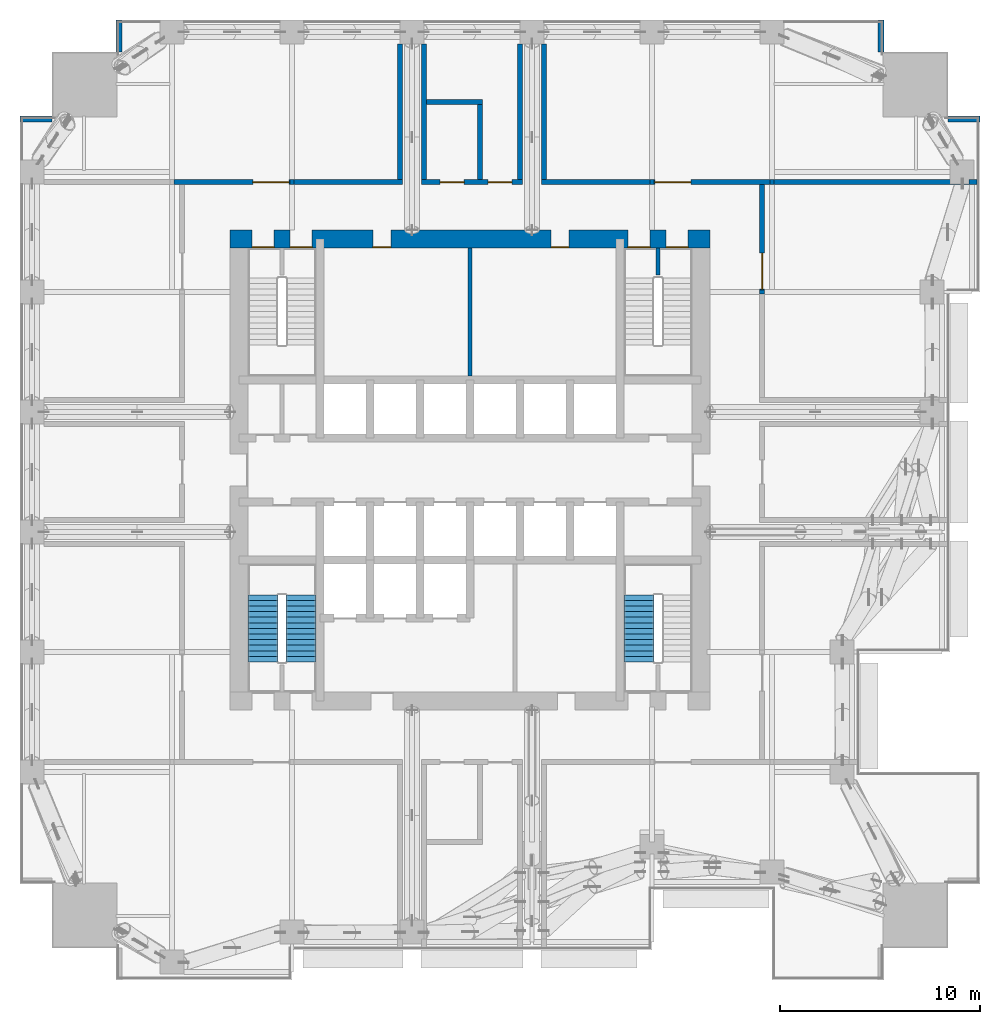
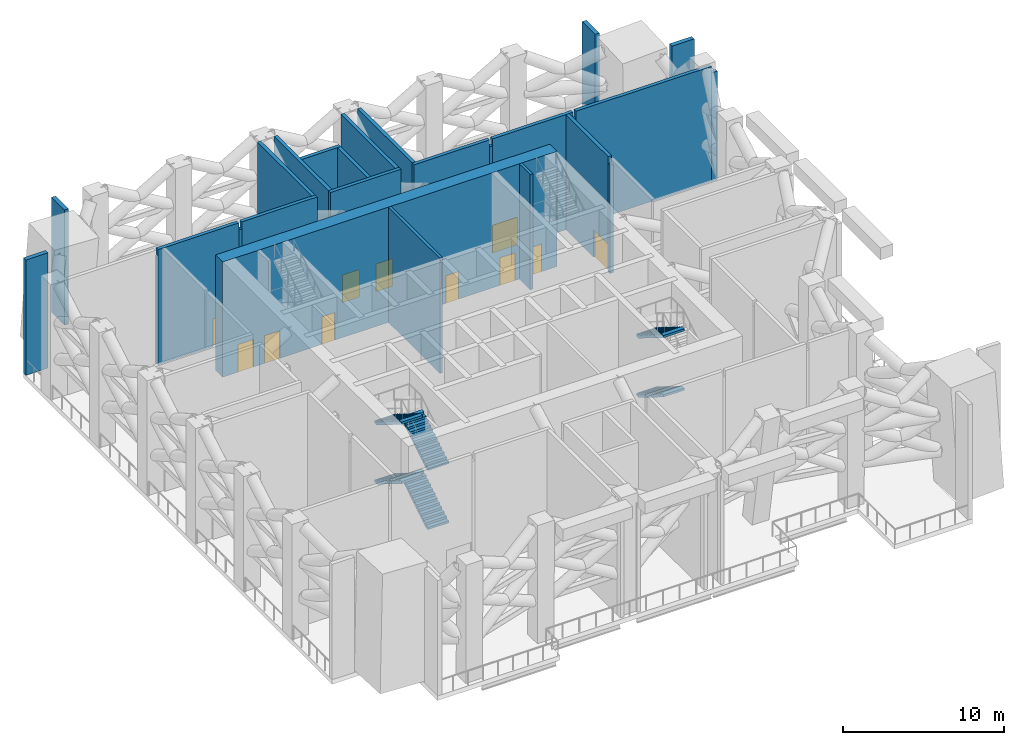
# One storey, part 9 of 18: 25 walls, 11 doors, 6 stair flights, 11 openings, 2 elements without a shape of their own.
"""IFC4 building model written with IfcOpenShell, lengths in metres."""

import ifcopenshell
import ifcopenshell.guid

model = None  # the IFC model being written
_history = None  # IfcOwnerHistory: only IFC2X3 demands one
_inside = {}  # id of a spatial element -> (the spatial element, [elements in it])
_under = {}  # id of a project, library or spatial element -> (it, [spatial elements below it])
_declared = {}  # id of a project -> (the project, [libraries it declares])
_typed = {}  # id of a type object -> (the type object, [elements of that type])
_made_of = {}  # id of a material, layer set ... -> (it, [elements and type objects made of it])


def new_model(schema):
    """Start an empty IFC model of exactly this schema.

    Asked for "IFC4X3", IfcOpenShell would pick the latest addendum, in which some entities
    have other attributes; the version numbers below select the first issue.
    IFC2X3 requires an IfcOwnerHistory on every rooted entity: one is made here for all.
    """
    global model, _history
    if schema == "IFC4X3":
        model = ifcopenshell.file(schema_version=(4, 3, 0, 0))
    else:
        model = ifcopenshell.file(schema=schema)
    _inside.clear()
    _under.clear()
    _declared.clear()
    _typed.clear()
    _made_of.clear()
    _history = None
    if model.schema == "IFC2X3":
        org = make("IfcOrganization", Name="unknown")
        user = make(
            "IfcPersonAndOrganization",
            ThePerson=make("IfcPerson", FamilyName="unknown"),
            TheOrganization=org,
        )
        app = make(
            "IfcApplication",
            ApplicationDeveloper=org,
            Version="unknown",
            ApplicationFullName="unknown",
            ApplicationIdentifier="unknown",
        )
        _history = make(
            "IfcOwnerHistory",
            OwningUser=user,
            OwningApplication=app,
            ChangeAction="ADDED",
            CreationDate=0,
        )
    return model


def make(cls, **values):
    """One entity of the class cls with the attributes given. An attribute that is None is left unset."""
    return model.create_entity(
        cls, **{name: value for name, value in values.items() if value is not None}
    )


def rooted(cls, **values):
    """An entity with a GlobalId (a new one), such as an element, a storey or a relation."""
    return make(cls, GlobalId=ifcopenshell.guid.new(), OwnerHistory=_history, **values)


def si_unit(unit_type, name, prefix=None):
    """IfcSIUnit, for example si_unit("LENGTHUNIT", "METRE", prefix="MILLI")."""
    return make("IfcSIUnit", UnitType=unit_type, Prefix=prefix, Name=name)


def assignment(units):
    """IfcUnitAssignment: the units of a project."""
    return None if units is None else make("IfcUnitAssignment", Units=units)


def point(xyz):
    """IfcCartesianPoint."""
    return None if xyz is None else make("IfcCartesianPoint", Coordinates=xyz)


def direction(xyz):
    """IfcDirection."""
    return None if xyz is None else make("IfcDirection", DirectionRatios=xyz)


def frame(location, z_axis=None, x_axis=None):
    """IfcAxis2Placement3D, a coordinate frame: its origin and axes. An axis left out is left unset."""
    return make(
        "IfcAxis2Placement3D",
        Location=point(location),
        Axis=direction(z_axis),
        RefDirection=direction(x_axis),
    )


def frame_2d(location, x_axis=None):
    """IfcAxis2Placement2D, a coordinate frame in the plane: its origin and x axis."""
    return make(
        "IfcAxis2Placement2D", Location=point(location), RefDirection=direction(x_axis)
    )


def origin():
    """The frame at (0, 0, 0) with its axes left unset."""
    return frame((0.0, 0.0, 0.0))


def place(relative_to, where):
    """IfcLocalPlacement: puts the frame where relative to a parent placement (None: the world)."""
    return make(
        "IfcLocalPlacement", PlacementRelTo=relative_to, RelativePlacement=where
    )


def context(
    kind, dimensions, precision=None, world=None, true_north=None, identifier=None
):
    """IfcGeometricRepresentationContext, for example the 3D "Model" context."""
    return make(
        "IfcGeometricRepresentationContext",
        ContextIdentifier=identifier,
        ContextType=kind,
        CoordinateSpaceDimension=dimensions,
        Precision=precision,
        WorldCoordinateSystem=world,
        TrueNorth=true_north,
    )


def subcontext(parent, identifier, kind, view, scale=None):
    """IfcGeometricRepresentationSubContext, for example "Body" below "Model"."""
    return make(
        "IfcGeometricRepresentationSubContext",
        ContextIdentifier=identifier,
        ContextType=kind,
        ParentContext=parent,
        TargetScale=scale,
        TargetView=view,
    )


def project(units=None, contexts=None):
    """IfcProject with its units and contexts."""
    return rooted(
        "IfcProject",
        Name="project",
        RepresentationContexts=contexts,
        UnitsInContext=assignment(units),
    )


def spatial(cls, under=None, at=None, **own):
    """A site, building, storey or space (cls), placed at a placement, below another one or the project."""
    s = rooted(cls, ObjectPlacement=at, **own)
    if under is not None:
        _under.setdefault(under.id(), (under, []))[1].append(s)
    return s


def polyline(points):
    """IfcPolyline through the points."""
    return make("IfcPolyline", Points=[point(p) for p in points])


def profile(cls, at=None, kind="AREA", **sizes):
    """A parametric profile (cls). Its sizes go by their IFC names, for example OverallWidth=200.0."""
    return make(cls, ProfileType=kind, Position=at, **sizes)


def rectangle(**sizes):
    """IfcRectangleProfileDef."""
    return profile("IfcRectangleProfileDef", **sizes)


def outline(outer, holes=None, kind="AREA"):
    """IfcArbitraryClosedProfileDef: a profile drawn as a closed curve; with holes, ...WithVoids."""
    if holes is None:
        return make("IfcArbitraryClosedProfileDef", ProfileType=kind, OuterCurve=outer)
    return make(
        "IfcArbitraryProfileDefWithVoids",
        ProfileType=kind,
        OuterCurve=outer,
        InnerCurves=holes,
    )


def extrude(swept, where, along, depth):
    """IfcExtrudedAreaSolid: the profile swept, set in the frame where, extruded along a direction by depth."""
    return make(
        "IfcExtrudedAreaSolid",
        SweptArea=swept,
        Position=where,
        ExtrudedDirection=direction(along),
        Depth=depth,
    )


def shape(context_of_items, identifier, shape_type, items):
    """IfcShapeRepresentation: the items that make up one representation, for example the "Body"."""
    return make(
        "IfcShapeRepresentation",
        ContextOfItems=context_of_items,
        RepresentationIdentifier=identifier,
        RepresentationType=shape_type,
        Items=items,
    )


def material(Name=None, Category=None):
    """IfcMaterial."""
    return make("IfcMaterial", Name=Name, Category=Category)


def layer(
    of_material, thickness, ventilated=None, Name=None, Category=None, Priority=None
):
    """IfcMaterialLayer: one layer of a wall or slab, of a material (None: an air gap)."""
    return make(
        "IfcMaterialLayer",
        Material=of_material,
        LayerThickness=thickness,
        IsVentilated=ventilated,
        Name=Name,
        Category=Category,
        Priority=Priority,
    )


def layer_set(layers, Name=None):
    """IfcMaterialLayerSet."""
    return make("IfcMaterialLayerSet", MaterialLayers=layers, LayerSetName=Name)


def made_of(thing, what):
    """Note that an element or type object is made of a material, layer set ...; save() writes the relation."""
    if what is not None:
        _made_of.setdefault(what.id(), (what, []))[1].append(thing)
    return thing


def type_object(cls, material=None, **own):
    """A type object (cls), such as IfcWallType, which elements share."""
    return made_of(rooted(cls, **own), material)


def element(
    cls,
    number,
    at=None,
    inside=None,
    cuts=None,
    type_object=None,
    material=None,
    context=None,
    identifier="Body",
    shape_type=None,
    held_by="IfcProductDefinitionShape",
    body=None,
    shapes=None,
    **own,
):
    """One element of the class cls, such as IfcWall. Its Tag is "e" and its number.

    at: its placement. inside: the storey or other place that contains it. cuts: it is an
    opening in that element (IfcRelVoidsElement). A single representation is given by context,
    identifier, shape_type and body (its items); several are given by shapes. held_by: the class
    of the entity that holds the representations. save() writes the other relations.
    """
    e = rooted(cls, Tag="e%d" % number, ObjectPlacement=at, **own)
    if body is not None:
        shapes = [shape(context, identifier, shape_type, body)]
    if shapes is not None:
        e.Representation = make(held_by, Representations=shapes)
    if inside is not None:
        _inside.setdefault(inside.id(), (inside, []))[1].append(e)
    if cuts is not None:
        rooted(
            "IfcRelVoidsElement", RelatingBuildingElement=cuts, RelatedOpeningElement=e
        )
    if type_object is not None:
        _typed.setdefault(type_object.id(), (type_object, []))[1].append(e)
    return made_of(e, material)


def fill(opening, filler):
    """IfcRelFillsElement: the door or window that sits in an opening."""
    return rooted(
        "IfcRelFillsElement",
        RelatingOpeningElement=opening,
        RelatedBuildingElement=filler,
    )


def aggregate(whole, parts):
    """IfcRelAggregates: a whole, such as a stair, and the parts it consists of."""
    return rooted("IfcRelAggregates", RelatingObject=whole, RelatedObjects=parts)


def save(model, path):
    """Write the relations noted so far, then the file.

    IfcRelAggregates (storeys below a building ...), IfcRelContainedInSpatialStructure (elements
    in a storey), IfcRelDefinesByType, IfcRelAssociatesMaterial and IfcRelDeclares: one each for
    every whole, place, type object, material and project.
    """
    for whole, parts in _under.values():
        aggregate(whole, parts)
    for where, things in _inside.values():
        rooted(
            "IfcRelContainedInSpatialStructure",
            RelatedElements=things,
            RelatingStructure=where,
        )
    for kind, things in _typed.values():
        rooted("IfcRelDefinesByType", RelatedObjects=things, RelatingType=kind)
    for what, things in _made_of.values():
        rooted("IfcRelAssociatesMaterial", RelatedObjects=things, RelatingMaterial=what)
    for by, libraries in _declared.values():
        rooted("IfcRelDeclares", RelatingContext=by, RelatedDefinitions=libraries)
    model.write(path)


model = new_model("IFC4")

# Units and contexts
model_context = context("Model", 3, precision=1e-05, world=origin(), true_north=direction((0.0, 1.0)))
body_context = subcontext(model_context, "Body", "Model", "MODEL_VIEW")
ifc_project = project(units=[si_unit("LENGTHUNIT", "METRE"), si_unit("AREAUNIT", "SQUARE_METRE"), si_unit("VOLUMEUNIT", "CUBIC_METRE"), si_unit("PLANEANGLEUNIT", "RADIAN"), si_unit("MASSUNIT", "GRAM", prefix="KILO")], contexts=[model_context])

# Site, building, storey
site_placement = place(None, origin())
site = spatial("IfcSite", under=ifc_project, at=site_placement, CompositionType="ELEMENT")
building_placement = place(site_placement, origin())
building = spatial("IfcBuilding", under=site, at=building_placement, Name="Amberfall Residences", CompositionType="ELEMENT")
storey_placement = place(building_placement, frame((0.0, 0.0, 69.699951171875)))
storey = spatial("IfcBuildingStorey", under=building, at=storey_placement, Name="L19", CompositionType="ELEMENT", Elevation=69.699951171875)

# Wall, opening, door
ifc_material_1 = material(Name="Reinforced concrete C40", Category="concrete")
ifc_layer_1 = layer(ifc_material_1, 0.25)
ifc_layer_set_1 = layer_set([ifc_layer_1], Name="Compartment wall 250")
wall_type_1 = type_object("IfcWallType", Name="Compartment wall 250", PredefinedType="SOLIDWALL", material=ifc_layer_set_1)
wall_1_placement = place(storey_placement, frame((59.705322265625, 59.89990234375, 0.0), z_axis=(0.0, 0.0, 1.0), x_axis=(1.0, 0.0, 0.0)))
wall_1 = element("IfcWall", 1, at=wall_1_placement, inside=storey, type_object=wall_type_1, Name="Compartment wall 250 L19 028", PredefinedType="SOLIDWALL", context=body_context, shape_type="SweptSolid", body=[
    extrude(rectangle(XDim=5.7900390625, YDim=0.25, at=frame_2d((2.89501953125, 0.0))), origin(), (0.0, 0.0, 1.0), 8.75),
])
opening_1_placement = place(wall_1_placement, frame((3.944580078125, 0.0, 0.0)))
opening_1 = element("IfcOpeningElement", 2, at=opening_1_placement, cuts=wall_1, Name="Opening D13", PredefinedType="OPENING", context=body_context, shape_type="SweptSolid", body=[
    extrude(rectangle(XDim=1.800048828125, YDim=2.10009765625, at=frame_2d((0.89990234375, 1.050048828125))), frame((0.0, 0.135009765625, 0.0), z_axis=(0.0, -1.0, 0.0), x_axis=(1.0, 0.0, 0.0)), (0.0, 0.0, 1.0), 0.27001953125),
])
ifc_material_2 = material(Name="Steel fire door leaf", Category="steel")
door_type_1 = type_object("IfcDoorType", Name="Double fire door 1800x2100 FD60", OperationType="DOUBLE_DOOR_SINGLE_SWING", PredefinedType="DOOR", material=ifc_material_2)
door_1_placement = place(opening_1_placement, origin())
door_1 = element("IfcDoor", 3, at=door_1_placement, inside=storey, type_object=door_type_1, Name="Door Refuge area 4", OperationType="DOUBLE_DOOR_SINGLE_SWING", OverallHeight=2.10009765625, OverallWidth=1.800048828125, PredefinedType="DOOR", context=body_context, shape_type="SweptSolid", body=[
    extrude(rectangle(XDim=1.800048828125, YDim=2.10009765625, at=frame_2d((0.89990234375, 1.050048828125))), frame((0.0, 0.02490234375, 0.0), z_axis=(0.0, -1.0, 0.0), x_axis=(1.0, 0.0, 0.0)), (0.0, 0.0, 1.0), 0.050048828125),
])
fill(opening_1, door_1)

# Walls
wall_2_placement = place(storey_placement, frame((65.495361328125, 59.89990234375, 0.0), z_axis=(0.0, 0.0, 1.0), x_axis=(1.0, 0.0, 0.0)))
element("IfcWall", 4, at=wall_2_placement, inside=storey, type_object=wall_type_1, Name="Compartment wall 250 L19 029", PredefinedType="SOLIDWALL", context=body_context, shape_type="SweptSolid", body=[
    extrude(rectangle(XDim=0.209228515625, YDim=0.25, at=frame_2d((0.1044921875, 0.0))), origin(), (0.0, 0.0, 1.0), 8.217041015625),
])
wall_3_placement = place(storey_placement, frame((65.70458984375, 59.89990234375, 0.0), z_axis=(0.0, 0.0, 1.0), x_axis=(1.0, 0.0, 0.0)))
element("IfcWall", 5, at=wall_3_placement, inside=storey, type_object=wall_type_1, Name="Compartment wall 250 L19 030", PredefinedType="SOLIDWALL", context=body_context, shape_type="SweptSolid", body=[
    extrude(rectangle(XDim=5.42041015625, YDim=0.25, at=frame_2d((2.710205078125, 0.0))), origin(), (0.0, 0.0, 1.0), 8.75),
])

# Wall, openings, doors
wall_4_placement = place(storey_placement, frame((72.074951171875, 59.89990234375, 0.0), z_axis=(0.0, 0.0, 1.0), x_axis=(1.0, 0.0, 0.0)))
wall_4 = element("IfcWall", 6, at=wall_4_placement, inside=storey, type_object=wall_type_1, Name="Compartment wall 250 L19 031", PredefinedType="SOLIDWALL", context=body_context, shape_type="SweptSolid", body=[
    extrude(rectangle(XDim=5.050048828125, YDim=0.25, at=frame_2d((2.52490234375, 0.0))), origin(), (0.0, 0.0, 1.0), 8.75),
])
opening_2_placement = place(wall_4_placement, frame((0.925048828125, 0.0, 0.0)))
opening_2 = element("IfcOpeningElement", 7, at=opening_2_placement, cuts=wall_4, Name="Opening D7", PredefinedType="OPENING", context=body_context, shape_type="SweptSolid", body=[
    extrude(rectangle(XDim=1.199951171875, YDim=2.10009765625, at=frame_2d((0.60009765625, 1.050048828125))), frame((0.0, 0.135009765625, 0.0), z_axis=(0.0, -1.0, 0.0), x_axis=(1.0, 0.0, 0.0)), (0.0, 0.0, 1.0), 0.27001953125),
])
opening_3_placement = place(wall_4_placement, frame((3.324951171875, 0.0, 0.0)))
opening_3 = element("IfcOpeningElement", 8, at=opening_3_placement, cuts=wall_4, Name="Opening D6", PredefinedType="OPENING", context=body_context, shape_type="SweptSolid", body=[
    extrude(rectangle(XDim=1.199951171875, YDim=2.10009765625, at=frame_2d((0.60009765625, 1.050048828125))), frame((0.0, 0.135009765625, 0.0), z_axis=(0.0, -1.0, 0.0), x_axis=(1.0, 0.0, 0.0)), (0.0, 0.0, 1.0), 0.27001953125),
])
door_type_2 = type_object("IfcDoorType", Name="Exit door 1200x2100", OperationType="SINGLE_SWING_LEFT", PredefinedType="DOOR", material=ifc_material_2)
door_2_placement = place(opening_3_placement, origin())
door_2 = element("IfcDoor", 9, at=door_2_placement, inside=storey, type_object=door_type_2, Name="Door Refuge area 5", OperationType="SINGLE_SWING_LEFT", OverallHeight=2.10009765625, OverallWidth=1.199951171875, PredefinedType="DOOR", context=body_context, shape_type="SweptSolid", body=[
    extrude(rectangle(XDim=1.199951171875, YDim=2.10009765625, at=frame_2d((0.60009765625, 1.050048828125))), frame((0.0, 0.02490234375, 0.0), z_axis=(0.0, -1.0, 0.0), x_axis=(1.0, 0.0, 0.0)), (0.0, 0.0, 1.0), 0.050048828125),
])
fill(opening_3, door_2)
door_type_3 = type_object("IfcDoorType", Name="Plant room door 1200x2100", OperationType="SINGLE_SWING_LEFT", PredefinedType="DOOR", material=ifc_material_2)
door_3_placement = place(opening_2_placement, origin())
door_3 = element("IfcDoor", 10, at=door_3_placement, inside=storey, type_object=door_type_3, Name="Door Fire pump room N", OperationType="SINGLE_SWING_LEFT", OverallHeight=2.10009765625, OverallWidth=1.199951171875, PredefinedType="DOOR", context=body_context, shape_type="SweptSolid", body=[
    extrude(rectangle(XDim=1.199951171875, YDim=2.10009765625, at=frame_2d((0.60009765625, 1.050048828125))), frame((0.0, 0.02490234375, 0.0), z_axis=(0.0, -1.0, 0.0), x_axis=(1.0, 0.0, 0.0)), (0.0, 0.0, 1.0), 0.050048828125),
])
fill(opening_2, door_3)

# Walls
wall_5_placement = place(storey_placement, frame((78.074951171875, 59.89990234375, 0.0), z_axis=(0.0, 0.0, 1.0), x_axis=(1.0, 0.0, 0.0)))
element("IfcWall", 11, at=wall_5_placement, inside=storey, type_object=wall_type_1, Name="Compartment wall 250 L19 032", PredefinedType="SOLIDWALL", context=body_context, shape_type="SweptSolid", body=[
    extrude(rectangle(XDim=5.42041015625, YDim=0.25, at=frame_2d((2.710205078125, 0.0))), origin(), (0.0, 0.0, 1.0), 8.75),
])
wall_6_placement = place(storey_placement, frame((83.495361328125, 59.89990234375, 0.0), z_axis=(0.0, 0.0, 1.0), x_axis=(1.0, 0.0, 0.0)))
element("IfcWall", 12, at=wall_6_placement, inside=storey, type_object=wall_type_1, Name="Compartment wall 250 L19 033", PredefinedType="SOLIDWALL", context=body_context, shape_type="SweptSolid", body=[
    extrude(rectangle(XDim=0.209228515625, YDim=0.25, at=frame_2d((0.1044921875, 0.0))), origin(), (0.0, 0.0, 1.0), 8.217041015625),
])

# Wall, opening, door
wall_7_placement = place(storey_placement, frame((83.70458984375, 59.89990234375, 0.0), z_axis=(0.0, 0.0, 1.0), x_axis=(1.0, 0.0, 0.0)))
wall_7 = element("IfcWall", 13, at=wall_7_placement, inside=storey, type_object=wall_type_1, Name="Compartment wall 250 L19 034", PredefinedType="SOLIDWALL", context=body_context, shape_type="SweptSolid", body=[
    extrude(rectangle(XDim=5.7900390625, YDim=0.25, at=frame_2d((2.89501953125, 0.0))), origin(), (0.0, 0.0, 1.0), 8.75),
])
opening_4_placement = place(wall_7_placement, frame((0.04541015625, 0.0, 0.0)))
opening_4 = element("IfcOpeningElement", 14, at=opening_4_placement, cuts=wall_7, Name="Opening D13", PredefinedType="OPENING", context=body_context, shape_type="SweptSolid", body=[
    extrude(rectangle(XDim=1.800048828125, YDim=2.10009765625, at=frame_2d((0.89990234375, 1.050048828125))), frame((0.0, 0.135009765625, 0.0), z_axis=(0.0, -1.0, 0.0), x_axis=(1.0, 0.0, 0.0)), (0.0, 0.0, 1.0), 0.27001953125),
])
door_4_placement = place(opening_4_placement, origin())
door_4 = element("IfcDoor", 15, at=door_4_placement, inside=storey, type_object=door_type_1, Name="Door Refuge area 6", OperationType="DOUBLE_DOOR_SINGLE_SWING", OverallHeight=2.10009765625, OverallWidth=1.800048828125, PredefinedType="DOOR", context=body_context, shape_type="SweptSolid", body=[
    extrude(rectangle(XDim=1.800048828125, YDim=2.10009765625, at=frame_2d((0.89990234375, 1.050048828125))), frame((0.0, 0.02490234375, 0.0), z_axis=(0.0, -1.0, 0.0), x_axis=(1.0, 0.0, 0.0)), (0.0, 0.0, 1.0), 0.050048828125),
])
fill(opening_4, door_4)

# Walls
wall_8_placement = place(storey_placement, frame((89.49462890625, 59.89990234375, 0.0), z_axis=(0.0, 0.0, 1.0), x_axis=(1.0, 0.0, 0.0)))
element("IfcWall", 16, at=wall_8_placement, inside=storey, type_object=wall_type_1, Name="Compartment wall 250 L19 035", PredefinedType="SOLIDWALL", context=body_context, shape_type="SweptSolid", body=[
    extrude(rectangle(XDim=0.210693359375, YDim=0.25, at=frame_2d((0.10546875, 0.0))), origin(), (0.0, 0.0, 1.0), 8.2099609375),
])
wall_9_placement = place(storey_placement, frame((89.705322265625, 59.89990234375, 0.0), z_axis=(0.0, 0.0, 1.0), x_axis=(1.0, 0.0, 0.0)))
element("IfcWall", 17, at=wall_9_placement, inside=storey, type_object=wall_type_1, Name="Compartment wall 250 L19 036", PredefinedType="SOLIDWALL", context=body_context, shape_type="SweptSolid", body=[
    extrude(rectangle(XDim=9.74462890625, YDim=0.25, at=frame_2d((4.872314453125, 0.0))), origin(), (0.0, 0.0, 1.0), 8.75),
])
wall_10_placement = place(storey_placement, frame((99.449951171875, 59.89990234375, 0.0), z_axis=(0.0, 0.0, 1.0), x_axis=(1.0, 0.0, 0.0)))
element("IfcWall", 18, at=wall_10_placement, inside=storey, type_object=wall_type_1, Name="Compartment wall 250 L19 037", PredefinedType="SOLIDWALL", context=body_context, shape_type="SweptSolid", body=[
    extrude(rectangle(XDim=0.400146484375, YDim=0.25, at=frame_2d((0.2001953125, 0.0))), origin(), (0.0, 0.0, 1.0), 8.25),
])
wall_11_placement = place(storey_placement, frame((72.324951171875, 63.89990234375, 0.0), z_axis=(0.0, 0.0, 1.0), x_axis=(1.0, 0.0, 0.0)))
element("IfcWall", 19, at=wall_11_placement, inside=storey, type_object=wall_type_1, Name="Compartment wall 250 L19 038", PredefinedType="SOLIDWALL", context=body_context, shape_type="SweptSolid", body=[
    extrude(rectangle(XDim=2.800048828125, YDim=0.25, at=frame_2d((1.39990234375, 0.0))), origin(), (0.0, 0.0, 1.0), 8.75),
])
for number, where, z_axis, x_axis, name in (
    (20, (71.0, 60.02490234375, 0.0), (0.0, 0.0, 1.0), (0.0, 1.0, 0.0), "Compartment wall 250 L19 048"),
    (21, (72.199951171875, 60.02490234375, 0.0), (0.0, 0.0, 1.0), (0.0, 1.0, 0.0), "Compartment wall 250 L19 051"),
):
    element("IfcWall", number, at=place(storey_placement, frame(where, z_axis=z_axis, x_axis=x_axis)), inside=storey, type_object=wall_type_1, Name=name, PredefinedType="SOLIDWALL", context=body_context, shape_type="SweptSolid", body=[
        extrude(rectangle(XDim=6.775146484375, YDim=0.25, at=frame_2d((3.3876953125, 0.0))), origin(), (0.0, 0.0, 1.0), 8.75),
    ])
wall_12_placement = place(storey_placement, frame((75.0, 60.02490234375, 0.0), z_axis=(0.0, 0.0, 1.0), x_axis=(0.0, 1.0, 0.0)))
element("IfcWall", 22, at=wall_12_placement, inside=storey, type_object=wall_type_1, Name="Compartment wall 250 L19 053", PredefinedType="SOLIDWALL", context=body_context, shape_type="SweptSolid", body=[
    extrude(rectangle(XDim=3.75, YDim=0.25, at=frame_2d((1.875, 0.0))), origin(), (0.0, 0.0, 1.0), 8.75),
])
for number, where, z_axis, x_axis, name in (
    (23, (77.0, 60.02490234375, 0.0), (0.0, 0.0, 1.0), (0.0, 1.0, 0.0), "Compartment wall 250 L19 056"),
    (24, (78.199951171875, 60.02490234375, 0.0), (0.0, 0.0, 1.0), (0.0, 1.0, 0.0), "Compartment wall 250 L19 059"),
):
    element("IfcWall", number, at=place(storey_placement, frame(where, z_axis=z_axis, x_axis=x_axis)), inside=storey, type_object=wall_type_1, Name=name, PredefinedType="SOLIDWALL", context=body_context, shape_type="SweptSolid", body=[
        extrude(rectangle(XDim=6.775146484375, YDim=0.25, at=frame_2d((3.3876953125, 0.0))), origin(), (0.0, 0.0, 1.0), 8.75),
    ])
wall_13_placement = place(storey_placement, frame((89.10009765625, 54.29541015625, 0.0), z_axis=(0.0, 0.0, 1.0), x_axis=(0.0, 1.0, 0.0)))
element("IfcWall", 25, at=wall_13_placement, inside=storey, type_object=wall_type_1, Name="Compartment wall 250 L19 065", PredefinedType="SOLIDWALL", context=body_context, shape_type="SweptSolid", body=[
    extrude(rectangle(XDim=0.209228515625, YDim=0.25, at=frame_2d((0.1044921875, 0.0))), origin(), (0.0, 0.0, 1.0), 8.217041015625),
])

# Wall, opening, door
wall_14_placement = place(storey_placement, frame((89.10009765625, 54.504638671875, 0.0), z_axis=(0.0, 0.0, 1.0), x_axis=(0.0, 1.0, 0.0)))
wall_14 = element("IfcWall", 26, at=wall_14_placement, inside=storey, type_object=wall_type_1, Name="Compartment wall 250 L19 066", PredefinedType="SOLIDWALL", context=body_context, shape_type="SweptSolid", body=[
    extrude(rectangle(XDim=5.270263671875, YDim=0.25, at=frame_2d((2.63525390625, 0.0))), origin(), (0.0, 0.0, 1.0), 8.75),
])
opening_5_placement = place(wall_14_placement, frame((0.04541015625, 0.0, 0.0)))
opening_5 = element("IfcOpeningElement", 27, at=opening_5_placement, cuts=wall_14, Name="Opening D13", PredefinedType="OPENING", context=body_context, shape_type="SweptSolid", body=[
    extrude(rectangle(XDim=1.800048828125, YDim=2.10009765625, at=frame_2d((0.89990234375, 1.050048828125))), frame((0.0, 0.135009765625, 0.0), z_axis=(0.0, -1.0, 0.0), x_axis=(1.0, 0.0, 0.0)), (0.0, 0.0, 1.0), 0.27001953125),
])
door_5_placement = place(opening_5_placement, origin())
door_5 = element("IfcDoor", 28, at=door_5_placement, inside=storey, type_object=door_type_1, Name="Door Refuge area 12", OperationType="DOUBLE_DOOR_SINGLE_SWING", OverallHeight=2.10009765625, OverallWidth=1.800048828125, PredefinedType="DOOR", context=body_context, shape_type="SweptSolid", body=[
    extrude(rectangle(XDim=1.800048828125, YDim=2.10009765625, at=frame_2d((0.89990234375, 1.050048828125))), frame((0.0, 0.02490234375, 0.0), z_axis=(0.0, -1.0, 0.0), x_axis=(1.0, 0.0, 0.0)), (0.0, 0.0, 1.0), 0.050048828125),
])
fill(opening_5, door_5)

# Wall, openings, doors
ifc_material_3 = material(Name="Concrete C80", Category="concrete")
ifc_layer_2 = layer(ifc_material_3, 0.89990234375)
ifc_layer_set_2 = layer_set([ifc_layer_2], Name="Core wall 900 C80")
wall_type_2 = type_object("IfcWallType", Name="Core wall 900 C80", PredefinedType="SHEAR", material=ifc_layer_set_2)
wall_15_placement = place(storey_placement, frame((62.5, 57.050048828125, 0.0), z_axis=(0.0, 0.0, 1.0), x_axis=(1.0, 0.0, 0.0)))
wall_15 = element("IfcWall", 29, at=wall_15_placement, inside=storey, type_object=wall_type_2, Name="Core wall RW1 L19 ON", PredefinedType="SHEAR", context=body_context, shape_type="SweptSolid", body=[
    extrude(rectangle(XDim=24.0, YDim=0.89990234375, at=frame_2d((12.0, 0.0))), origin(), (0.0, 0.0, 1.0), 8.75),
])
opening_6_placement = place(wall_15_placement, frame((19.89990234375, 0.0, 0.0)))
opening_6 = element("IfcOpeningElement", 30, at=opening_6_placement, cuts=wall_15, Name="Opening SD1", PredefinedType="OPENING", context=body_context, shape_type="SweptSolid", body=[
    extrude(rectangle(XDim=1.10009765625, YDim=2.10009765625, at=frame_2d((0.550048828125, 1.050048828125))), frame((0.0, 0.4599609375, 0.0), z_axis=(0.0, -1.0, 0.0), x_axis=(1.0, 0.0, 0.0)), (0.0, 0.0, 1.0), 0.919921875),
])
opening_7_placement = place(wall_15_placement, frame((21.800048828125, 0.0, 0.0)))
opening_7 = element("IfcOpeningElement", 31, at=opening_7_placement, cuts=wall_15, Name="Opening SD1", PredefinedType="OPENING", context=body_context, shape_type="SweptSolid", body=[
    extrude(rectangle(XDim=1.10009765625, YDim=2.10009765625, at=frame_2d((0.550048828125, 1.050048828125))), frame((0.0, 0.4599609375, 0.0), z_axis=(0.0, -1.0, 0.0), x_axis=(1.0, 0.0, 0.0)), (0.0, 0.0, 1.0), 0.919921875),
])
opening_8_placement = place(wall_15_placement, frame((1.10009765625, 0.0, 0.0)))
opening_8 = element("IfcOpeningElement", 32, at=opening_8_placement, cuts=wall_15, Name="Opening SD1", PredefinedType="OPENING", context=body_context, shape_type="SweptSolid", body=[
    extrude(rectangle(XDim=1.10009765625, YDim=2.10009765625, at=frame_2d((0.550048828125, 1.050048828125))), frame((0.0, 0.4599609375, 0.0), z_axis=(0.0, -1.0, 0.0), x_axis=(1.0, 0.0, 0.0)), (0.0, 0.0, 1.0), 0.919921875),
])
opening_9_placement = place(wall_15_placement, frame((3.0, 0.0, 0.0)))
opening_9 = element("IfcOpeningElement", 33, at=opening_9_placement, cuts=wall_15, Name="Opening SD1", PredefinedType="OPENING", context=body_context, shape_type="SweptSolid", body=[
    extrude(rectangle(XDim=1.10009765625, YDim=2.10009765625, at=frame_2d((0.550048828125, 1.050048828125))), frame((0.0, 0.4599609375, 0.0), z_axis=(0.0, -1.0, 0.0), x_axis=(1.0, 0.0, 0.0)), (0.0, 0.0, 1.0), 0.919921875),
])
opening_10_placement = place(wall_15_placement, frame((7.14990234375, 0.0, 0.0)))
opening_10 = element("IfcOpeningElement", 34, at=opening_10_placement, cuts=wall_15, Name="Opening RD1", PredefinedType="OPENING", context=body_context, shape_type="SweptSolid", body=[
    extrude(rectangle(XDim=0.89990234375, YDim=2.10009765625, at=frame_2d((0.449951171875, 1.050048828125))), frame((0.0, 0.4599609375, 0.0), z_axis=(0.0, -1.0, 0.0), x_axis=(1.0, 0.0, 0.0)), (0.0, 0.0, 1.0), 0.919921875),
])
opening_11_placement = place(wall_15_placement, frame((16.050048828125, 0.0, 0.0)))
opening_11 = element("IfcOpeningElement", 35, at=opening_11_placement, cuts=wall_15, Name="Opening RD1", PredefinedType="OPENING", context=body_context, shape_type="SweptSolid", body=[
    extrude(rectangle(XDim=0.89990234375, YDim=2.10009765625, at=frame_2d((0.449951171875, 1.050048828125))), frame((0.0, 0.4599609375, 0.0), z_axis=(0.0, -1.0, 0.0), x_axis=(1.0, 0.0, 0.0)), (0.0, 0.0, 1.0), 0.919921875),
])
ifc_material_4 = material(Name="Steel fire door set", Category="steel")
door_type_4 = type_object("IfcDoorType", Name="Service room door 900 x 2100", OperationType="SINGLE_SWING_LEFT", PredefinedType="DOOR", material=ifc_material_4)
door_6_placement = place(opening_10_placement, origin())
door_6 = element("IfcDoor", 36, at=door_6_placement, inside=storey, type_object=door_type_4, Name="RD1 L19", OperationType="SINGLE_SWING_RIGHT", OverallHeight=2.10009765625, OverallWidth=0.89990234375, PredefinedType="DOOR", context=body_context, shape_type="SweptSolid", body=[
    extrude(rectangle(XDim=0.89990234375, YDim=2.10009765625, at=frame_2d((0.449951171875, 1.050048828125))), frame((0.0, -0.3876953125, 0.0), z_axis=(0.0, -1.0, 0.0), x_axis=(1.0, 0.0, 0.0)), (0.0, 0.0, 1.0), 0.050048828125),
])
fill(opening_10, door_6)
door_7_placement = place(opening_11_placement, origin())
door_7 = element("IfcDoor", 37, at=door_7_placement, inside=storey, type_object=door_type_4, Name="RD1 L19", OperationType="SINGLE_SWING_RIGHT", OverallHeight=2.10009765625, OverallWidth=0.89990234375, PredefinedType="DOOR", context=body_context, shape_type="SweptSolid", body=[
    extrude(rectangle(XDim=0.89990234375, YDim=2.10009765625, at=frame_2d((0.449951171875, 1.050048828125))), frame((0.0, -0.3876953125, 0.0), z_axis=(0.0, -1.0, 0.0), x_axis=(1.0, 0.0, 0.0)), (0.0, 0.0, 1.0), 0.050048828125),
])
fill(opening_11, door_7)
door_type_5 = type_object("IfcDoorType", Name="Stair door 1100 x 2100", OperationType="SINGLE_SWING_LEFT", PredefinedType="DOOR", material=ifc_material_4)
door_8_placement = place(opening_6_placement, origin())
door_8 = element("IfcDoor", 38, at=door_8_placement, inside=storey, type_object=door_type_5, Name="SD1 L19", OperationType="SINGLE_SWING_RIGHT", OverallHeight=2.10009765625, OverallWidth=1.10009765625, PredefinedType="DOOR", context=body_context, shape_type="SweptSolid", body=[
    extrude(rectangle(XDim=1.10009765625, YDim=2.10009765625, at=frame_2d((0.550048828125, 1.050048828125))), frame((0.0, -0.3876953125, 0.0), z_axis=(0.0, -1.0, 0.0), x_axis=(1.0, 0.0, 0.0)), (0.0, 0.0, 1.0), 0.050048828125),
])
fill(opening_6, door_8)
door_9_placement = place(opening_7_placement, origin())
door_9 = element("IfcDoor", 39, at=door_9_placement, inside=storey, type_object=door_type_5, Name="SD1 L19", OperationType="SINGLE_SWING_RIGHT", OverallHeight=2.10009765625, OverallWidth=1.10009765625, PredefinedType="DOOR", context=body_context, shape_type="SweptSolid", body=[
    extrude(rectangle(XDim=1.10009765625, YDim=2.10009765625, at=frame_2d((0.550048828125, 1.050048828125))), frame((0.0, -0.3876953125, 0.0), z_axis=(0.0, -1.0, 0.0), x_axis=(1.0, 0.0, 0.0)), (0.0, 0.0, 1.0), 0.050048828125),
])
fill(opening_7, door_9)
door_10_placement = place(opening_8_placement, origin())
door_10 = element("IfcDoor", 40, at=door_10_placement, inside=storey, type_object=door_type_5, Name="SD1 L19", OperationType="SINGLE_SWING_LEFT", OverallHeight=2.10009765625, OverallWidth=1.10009765625, PredefinedType="DOOR", context=body_context, shape_type="SweptSolid", body=[
    extrude(rectangle(XDim=1.10009765625, YDim=2.10009765625, at=frame_2d((0.550048828125, 1.050048828125))), frame((0.0, -0.3876953125, 0.0), z_axis=(0.0, -1.0, 0.0), x_axis=(1.0, 0.0, 0.0)), (0.0, 0.0, 1.0), 0.050048828125),
])
fill(opening_8, door_10)
door_11_placement = place(opening_9_placement, origin())
door_11 = element("IfcDoor", 41, at=door_11_placement, inside=storey, type_object=door_type_5, Name="SD1 L19", OperationType="SINGLE_SWING_LEFT", OverallHeight=2.10009765625, OverallWidth=1.10009765625, PredefinedType="DOOR", context=body_context, shape_type="SweptSolid", body=[
    extrude(rectangle(XDim=1.10009765625, YDim=2.10009765625, at=frame_2d((0.550048828125, 1.050048828125))), frame((0.0, -0.3876953125, 0.0), z_axis=(0.0, -1.0, 0.0), x_axis=(1.0, 0.0, 0.0)), (0.0, 0.0, 1.0), 0.050048828125),
])
fill(opening_9, door_11)

# Walls
ifc_material_5 = material(Name="Bronze aluminium louvre cladding on insulated backing", Category="aluminium")
ifc_layer_3 = layer(ifc_material_5, 0.300048828125)
ifc_layer_set_3 = layer_set([ifc_layer_3], Name="Louvre clad wall 300")
wall_type_3 = type_object("IfcWallType", Name="Louvre clad wall 300", PredefinedType="SOLIDWALL", material=ifc_layer_set_3)
for number, where, z_axis, x_axis, name in (
    (42, (100.0, 63.050048828125, 0.0), (0.0, 0.0, 1.0), (-1.0, 0.0, 0.0), "External wall L19 NE"),
    (43, (95.050048828125, 66.39990234375, 0.0), (0.0, 0.0, 1.0), (0.0, 1.0, 0.0), "External wall L19 NE"),
    (44, (56.949951171875, 68.0, 0.0), (0.0, 0.0, 1.0), (0.0, -1.0, 0.0), "External wall L19 NW"),
    (45, (53.60009765625, 63.050048828125, 0.0), (0.0, 0.0, 1.0), (-1.0, 0.0, 0.0), "External wall L19 NW"),
):
    element("IfcWall", number, at=place(storey_placement, frame(where, z_axis=z_axis, x_axis=x_axis)), inside=storey, type_object=wall_type_3, Name=name, PredefinedType="SOLIDWALL", context=body_context, shape_type="SweptSolid", body=[
        extrude(rectangle(XDim=1.60009765625, YDim=0.300048828125, at=frame_2d((0.800048828125, 0.0))), origin(), (0.0, 0.0, 1.0), 8.75),
    ])
ifc_material_6 = material(Name="Concrete blockwork", Category="masonry")
ifc_layer_4 = layer(ifc_material_6, 0.199951171875)
ifc_layer_set_4 = layer_set([ifc_layer_4], Name="Riser wall 200")
wall_type_4 = type_object("IfcWallType", Name="Riser wall 200", PredefinedType="PLUMBINGWALL", material=ifc_layer_set_4)
wall_16_placement = place(storey_placement, frame((74.5, 50.199951171875, 0.0), z_axis=(0.0, 0.0, 1.0), x_axis=(0.0, 1.0, 0.0)))
element("IfcWall", 46, at=wall_16_placement, inside=storey, type_object=wall_type_4, Name="L19 core wall N0", PredefinedType="PLUMBINGWALL", context=body_context, shape_type="SweptSolid", body=[
    extrude(rectangle(XDim=6.400146484375, YDim=0.199951171875, at=frame_2d((3.2001953125, 0.0))), origin(), (0.0, 0.0, 1.0), 8.75),
])
ifc_material_7 = material(Name="Concrete C40", Category="concrete")
ifc_layer_5 = layer(ifc_material_7, 0.199951171875)
ifc_layer_set_5 = layer_set([ifc_layer_5], Name="Stair separating wall 200")
wall_type_5 = type_object("IfcWallType", Name="Stair separating wall 200", PredefinedType="SHEAR", material=ifc_layer_set_5)
wall_17_placement = place(storey_placement, frame((83.89990234375, 56.60009765625, 0.0), z_axis=(0.0, 0.0, 1.0), x_axis=(0.0, -1.0, 0.0)))
element("IfcWall", 47, at=wall_17_placement, inside=storey, type_object=wall_type_5, Name="L19 stair 3 separating wall", PredefinedType="SHEAR", context=body_context, shape_type="SweptSolid", body=[
    extrude(rectangle(XDim=1.35009765625, YDim=0.199951171875, at=frame_2d((0.675048828125, 0.0))), origin(), (0.0, 0.0, 1.0), 8.75),
])

# Stair, stair flights
stair_type = type_object("IfcStairType", Name="Exit stair 52 risers 173.1 mm", PredefinedType="HALF_TURN_STAIR", material=ifc_material_7)
stair_1_placement = place(storey_placement, origin())
stair_1 = element("IfcStair", 48, at=stair_1_placement, inside=storey, type_object=stair_type, Name="L19 Exit stair 1", PredefinedType="HALF_TURN_STAIR")
stair_flight_type = type_object("IfcStairFlightType", Name="Stair flight 13 risers 173.1 mm", PredefinedType="STRAIGHT", material=ifc_material_7)
stair_flight_1_placement = place(storey_placement, frame((66.050048828125, 35.89990234375, 0.0), z_axis=(0.0, 0.0, 1.0), x_axis=(0.0, 1.0, 0.0)))
stair_flight_1 = element("IfcStairFlight", 49, at=stair_flight_1_placement, type_object=stair_flight_type, Name="ST4 flight 1", NumberOfRisers=13, NumberOfTreads=12, PredefinedType="STRAIGHT", RiserHeight=0.173076923, TreadLength=0.28, context=body_context, shape_type="SweptSolid", body=[
    extrude(outline(polyline([(0.0, 0.0), (0.0, 0.173095703125), (0.280029296875, 0.173095703125), (0.280029296875, 0.34619140625), (0.56005859375, 0.34619140625), (0.56005859375, 0.519287109375), (0.840087890625, 0.519287109375), (0.840087890625, 0.6923828125), (1.1201171875, 0.6923828125), (1.1201171875, 0.865478515625), (1.39990234375, 0.865478515625), (1.39990234375, 1.03857421875), (1.679931640625, 1.03857421875), (1.679931640625, 1.21142578125), (1.9599609375, 1.21142578125), (1.9599609375, 1.384521484375), (2.239990234375, 1.384521484375), (2.239990234375, 1.5576171875), (2.52001953125, 1.5576171875), (2.52001953125, 1.730712890625), (2.800048828125, 1.730712890625), (2.800048828125, 1.90380859375), (3.080078125, 1.90380859375), (3.080078125, 2.076904296875), (3.360107421875, 2.076904296875), (3.360107421875, 2.25), (3.360107421875, 1.900634765625), (0.28515625, 0.0), (0.0, 0.0)])), frame((0.0, 0.75, 0.0), z_axis=(0.0, -1.0, 0.0), x_axis=(1.0, 0.0, 0.0)), (0.0, 0.0, 1.0), 1.5),
])
stair_flight_2_placement = place(storey_placement, frame((64.14990234375, 39.260009765625, 2.25), z_axis=(0.0, 0.0, 1.0), x_axis=(0.0, -1.0, 0.0)))
stair_flight_2 = element("IfcStairFlight", 50, at=stair_flight_2_placement, type_object=stair_flight_type, Name="ST4 flight 2", NumberOfRisers=13, NumberOfTreads=12, PredefinedType="STRAIGHT", RiserHeight=0.173076923, TreadLength=0.28, context=body_context, shape_type="SweptSolid", body=[
    extrude(outline(polyline([(0.0, 0.0), (0.0, 0.173095703125), (0.280029296875, 0.173095703125), (0.280029296875, 0.34619140625), (0.56005859375, 0.34619140625), (0.56005859375, 0.519287109375), (0.840087890625, 0.519287109375), (0.840087890625, 0.6923828125), (1.1201171875, 0.6923828125), (1.1201171875, 0.865478515625), (1.39990234375, 0.865478515625), (1.39990234375, 1.03857421875), (1.679931640625, 1.03857421875), (1.679931640625, 1.21142578125), (1.9599609375, 1.21142578125), (1.9599609375, 1.384521484375), (2.239990234375, 1.384521484375), (2.239990234375, 1.5576171875), (2.52001953125, 1.5576171875), (2.52001953125, 1.730712890625), (2.800048828125, 1.730712890625), (2.800048828125, 1.90380859375), (3.080078125, 1.90380859375), (3.080078125, 2.076904296875), (3.360107421875, 2.076904296875), (3.360107421875, 2.25), (3.360107421875, 1.900634765625), (0.28515625, 0.0), (0.0, 0.0)])), frame((0.0, 0.75, 0.0), z_axis=(0.0, -1.0, 0.0), x_axis=(1.0, 0.0, 0.0)), (0.0, 0.0, 1.0), 1.5),
])
stair_flight_3_placement = place(storey_placement, frame((66.050048828125, 35.89990234375, 4.5), z_axis=(0.0, 0.0, 1.0), x_axis=(0.0, 1.0, 0.0)))
stair_flight_3 = element("IfcStairFlight", 51, at=stair_flight_3_placement, type_object=stair_flight_type, Name="ST4 flight 3", NumberOfRisers=13, NumberOfTreads=12, PredefinedType="STRAIGHT", RiserHeight=0.173076923, TreadLength=0.28, context=body_context, shape_type="SweptSolid", body=[
    extrude(outline(polyline([(0.0, 0.0), (0.0, 0.173095703125), (0.280029296875, 0.173095703125), (0.280029296875, 0.34619140625), (0.56005859375, 0.34619140625), (0.56005859375, 0.519287109375), (0.840087890625, 0.519287109375), (0.840087890625, 0.6923828125), (1.1201171875, 0.6923828125), (1.1201171875, 0.865478515625), (1.39990234375, 0.865478515625), (1.39990234375, 1.03857421875), (1.679931640625, 1.03857421875), (1.679931640625, 1.21142578125), (1.9599609375, 1.21142578125), (1.9599609375, 1.384521484375), (2.239990234375, 1.384521484375), (2.239990234375, 1.5576171875), (2.52001953125, 1.5576171875), (2.52001953125, 1.730712890625), (2.800048828125, 1.730712890625), (2.800048828125, 1.90380859375), (3.080078125, 1.90380859375), (3.080078125, 2.076904296875), (3.360107421875, 2.076904296875), (3.360107421875, 2.25), (3.360107421875, 1.900634765625), (0.28515625, 0.0), (0.0, 0.0)])), frame((0.0, 0.75, 0.0), z_axis=(0.0, -1.0, 0.0), x_axis=(1.0, 0.0, 0.0)), (0.0, 0.0, 1.0), 1.5),
])
stair_flight_4_placement = place(storey_placement, frame((64.14990234375, 39.260009765625, 6.75), z_axis=(0.0, 0.0, 1.0), x_axis=(0.0, -1.0, 0.0)))
stair_flight_4 = element("IfcStairFlight", 52, at=stair_flight_4_placement, type_object=stair_flight_type, Name="ST4 flight 4", NumberOfRisers=13, NumberOfTreads=12, PredefinedType="STRAIGHT", RiserHeight=0.173076923, TreadLength=0.28, context=body_context, shape_type="SweptSolid", body=[
    extrude(outline(polyline([(0.0, 0.0), (0.0, 0.173095703125), (0.280029296875, 0.173095703125), (0.280029296875, 0.34619140625), (0.56005859375, 0.34619140625), (0.56005859375, 0.519287109375), (0.840087890625, 0.519287109375), (0.840087890625, 0.6923828125), (1.1201171875, 0.6923828125), (1.1201171875, 0.865478515625), (1.39990234375, 0.865478515625), (1.39990234375, 1.03857421875), (1.679931640625, 1.03857421875), (1.679931640625, 1.21142578125), (1.9599609375, 1.21142578125), (1.9599609375, 1.384521484375), (2.239990234375, 1.384521484375), (2.239990234375, 1.5576171875), (2.52001953125, 1.5576171875), (2.52001953125, 1.730712890625), (2.800048828125, 1.730712890625), (2.800048828125, 1.90380859375), (3.080078125, 1.90380859375), (3.080078125, 2.076904296875), (3.360107421875, 2.076904296875), (3.360107421875, 2.25), (3.360107421875, 1.900634765625), (0.28515625, 0.0), (0.0, 0.0)])), frame((0.0, 0.75, 0.0), z_axis=(0.0, -1.0, 0.0), x_axis=(1.0, 0.0, 0.0)), (0.0, 0.0, 1.0), 1.5),
])
aggregate(stair_1, [stair_flight_1, stair_flight_2, stair_flight_3, stair_flight_4])

stair_2_placement = place(storey_placement, origin())
stair_2 = element("IfcStair", 53, at=stair_2_placement, inside=storey, type_object=stair_type, Name="L19 Exit stair 2", PredefinedType="HALF_TURN_STAIR")
stair_flight_5_placement = place(storey_placement, frame((82.949951171875, 39.260009765625, 2.25), z_axis=(0.0, 0.0, 1.0), x_axis=(0.0, -1.0, 0.0)))
stair_flight_5 = element("IfcStairFlight", 54, at=stair_flight_5_placement, type_object=stair_flight_type, Name="ST4 flight 2", NumberOfRisers=13, NumberOfTreads=12, PredefinedType="STRAIGHT", RiserHeight=0.173076923, TreadLength=0.28, context=body_context, shape_type="SweptSolid", body=[
    extrude(outline(polyline([(0.0, 0.0), (0.0, 0.173095703125), (0.280029296875, 0.173095703125), (0.280029296875, 0.34619140625), (0.56005859375, 0.34619140625), (0.56005859375, 0.519287109375), (0.840087890625, 0.519287109375), (0.840087890625, 0.6923828125), (1.1201171875, 0.6923828125), (1.1201171875, 0.865478515625), (1.39990234375, 0.865478515625), (1.39990234375, 1.03857421875), (1.679931640625, 1.03857421875), (1.679931640625, 1.21142578125), (1.9599609375, 1.21142578125), (1.9599609375, 1.384521484375), (2.239990234375, 1.384521484375), (2.239990234375, 1.5576171875), (2.52001953125, 1.5576171875), (2.52001953125, 1.730712890625), (2.800048828125, 1.730712890625), (2.800048828125, 1.90380859375), (3.080078125, 1.90380859375), (3.080078125, 2.076904296875), (3.360107421875, 2.076904296875), (3.360107421875, 2.25), (3.360107421875, 1.900634765625), (0.28515625, 0.0), (0.0, 0.0)])), frame((0.0, 0.75, 0.0), z_axis=(0.0, -1.0, 0.0), x_axis=(1.0, 0.0, 0.0)), (0.0, 0.0, 1.0), 1.5),
])
stair_flight_6_placement = place(storey_placement, frame((82.949951171875, 39.260009765625, 6.75), z_axis=(0.0, 0.0, 1.0), x_axis=(0.0, -1.0, 0.0)))
stair_flight_6 = element("IfcStairFlight", 55, at=stair_flight_6_placement, type_object=stair_flight_type, Name="ST4 flight 4", NumberOfRisers=13, NumberOfTreads=12, PredefinedType="STRAIGHT", RiserHeight=0.173076923, TreadLength=0.28, context=body_context, shape_type="SweptSolid", body=[
    extrude(outline(polyline([(0.0, 0.0), (0.0, 0.173095703125), (0.280029296875, 0.173095703125), (0.280029296875, 0.34619140625), (0.56005859375, 0.34619140625), (0.56005859375, 0.519287109375), (0.840087890625, 0.519287109375), (0.840087890625, 0.6923828125), (1.1201171875, 0.6923828125), (1.1201171875, 0.865478515625), (1.39990234375, 0.865478515625), (1.39990234375, 1.03857421875), (1.679931640625, 1.03857421875), (1.679931640625, 1.21142578125), (1.9599609375, 1.21142578125), (1.9599609375, 1.384521484375), (2.239990234375, 1.384521484375), (2.239990234375, 1.5576171875), (2.52001953125, 1.5576171875), (2.52001953125, 1.730712890625), (2.800048828125, 1.730712890625), (2.800048828125, 1.90380859375), (3.080078125, 1.90380859375), (3.080078125, 2.076904296875), (3.360107421875, 2.076904296875), (3.360107421875, 2.25), (3.360107421875, 1.900634765625), (0.28515625, 0.0), (0.0, 0.0)])), frame((0.0, 0.75, 0.0), z_axis=(0.0, -1.0, 0.0), x_axis=(1.0, 0.0, 0.0)), (0.0, 0.0, 1.0), 1.5),
])
aggregate(stair_2, [stair_flight_5, stair_flight_6])

save(model, "model.ifc")
